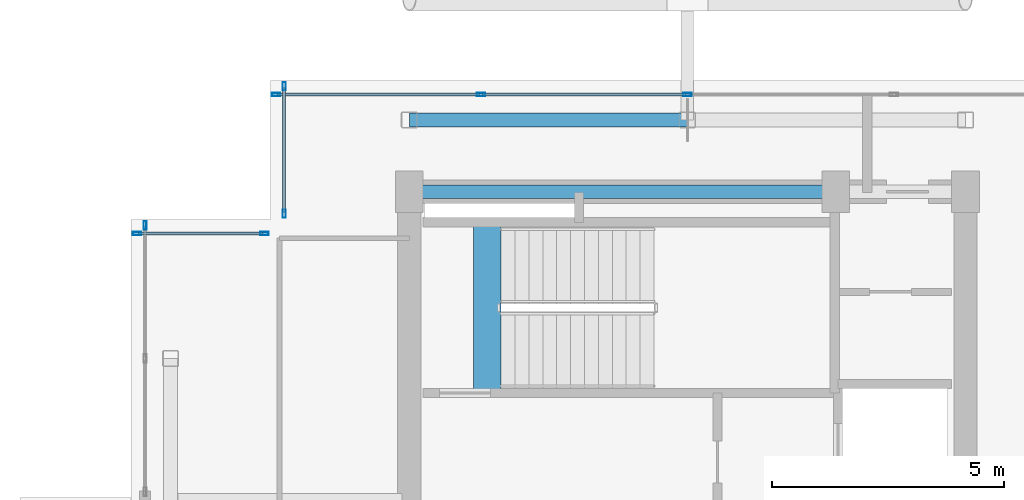
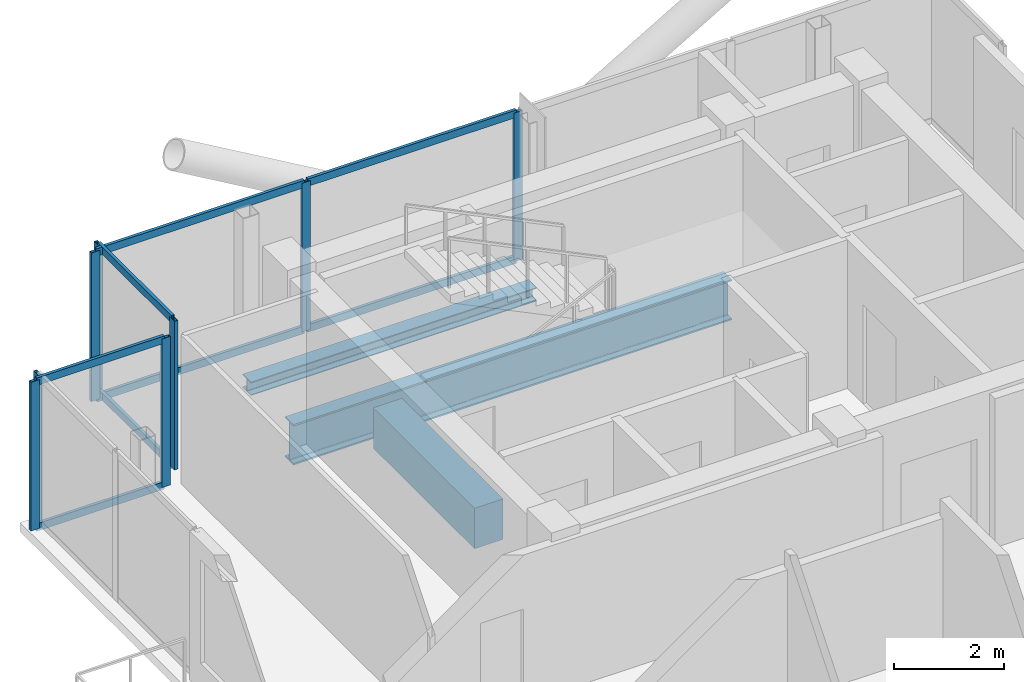
# One storey, part 8 of 18: 16 members, 3 beams, 4 elements without a shape of their own.
"""IFC4 building model written with IfcOpenShell, lengths in metres."""

from ifc_helpers import new_model, si_unit, direction, frame, origin, origin_2d, place, context, subcontext, project, spatial, rectangle, hollow_rectangle, i_section, extrude, material, layer, layer_set, material_profile, profile_set, type_object, element, aggregate, save


model = new_model("IFC4")

# Units and contexts
model_context = context("Model", 3, precision=1e-05, world=origin(), true_north=direction((0.0, 1.0)))
body_context = subcontext(model_context, "Body", "Model", "MODEL_VIEW")
ifc_project = project(units=[si_unit("LENGTHUNIT", "METRE"), si_unit("AREAUNIT", "SQUARE_METRE"), si_unit("VOLUMEUNIT", "CUBIC_METRE"), si_unit("PLANEANGLEUNIT", "RADIAN"), si_unit("MASSUNIT", "GRAM", prefix="KILO"), si_unit("THERMODYNAMICTEMPERATUREUNIT", "KELVIN"), si_unit("POWERUNIT", "WATT")], contexts=[model_context])

# Site, building, storey
site_placement = place(None, origin())
site = spatial("IfcSite", under=ifc_project, at=site_placement, CompositionType="ELEMENT")
building_placement = place(site_placement, origin())
building = spatial("IfcBuilding", under=site, at=building_placement, Name="Svarakhadi Broadcast Tower", CompositionType="ELEMENT")
storey_placement = place(building_placement, frame((0.0, 0.0, 253.699951171875)))
storey = spatial("IfcBuildingStorey", under=building, at=storey_placement, Name="L63", CompositionType="ELEMENT", Elevation=253.699951171875)

# Curtain wall, member
ifc_material_1 = material(Name="Anodised Bronze Aluminium AA 6063-T6", Category="aluminium")
ifc_layer = layer(ifc_material_1, 0.179931640625)
ifc_layer_set = layer_set([ifc_layer], Name="Anodised Bronze Aluminium AA 6063-T6")
curtain_wall_type = type_object("IfcCurtainWallType", Name="CW_Sys_05", PredefinedType="NOTDEFINED", material=ifc_layer_set)
curtain_wall_1_placement = place(storey_placement, origin())
curtain_wall_1 = element("IfcCurtainWall", 1, at=curtain_wall_1_placement, inside=storey, type_object=curtain_wall_type, Name="L63 West Curtain Wall 03", PredefinedType="NOTDEFINED")
ifc_material_profile_1 = material_profile(ifc_material_1, hollow_rectangle(XDim=0.070068359375, YDim=0.179931640625, WallThickness=0.005615234375, at=origin_2d()), Name="ALU MULLION 180x70x6")
ifc_profile_set_1 = profile_set([ifc_material_profile_1], Name="Anodised Bronze Aluminium AA 6063-T6")
member_type_1 = type_object("IfcMemberType", Name="CW_Sys_05_Mul", PredefinedType="MULLION", material=ifc_profile_set_1)
member_1_placement = place(storey_placement, frame((0.300048828125, 26.875, 0.0), z_axis=(0.0, 0.0, 1.0), x_axis=(-1.0, 0.0, 0.0)))
member_1 = element("IfcMember", 2, at=member_1_placement, type_object=member_type_1, Name="CW-05 mullion 3", PredefinedType="MULLION", context=body_context, shape_type="SweptSolid", body=[
    extrude(hollow_rectangle(XDim=0.070068359375, YDim=0.179931640625, WallThickness=0.005615234375, at=origin_2d()), origin(), (0.0, 0.0, 1.0), 3.300048828125),
])
aggregate(curtain_wall_1, [member_1])

# Curtain wall, members
curtain_wall_2_placement = place(storey_placement, origin())
curtain_wall_2 = element("IfcCurtainWall", 3, at=curtain_wall_2_placement, inside=storey, type_object=curtain_wall_type, Name="L63 Unitised Facade Curtain Wall 04", PredefinedType="NOTDEFINED")
member_2_placement = place(storey_placement, frame((0.125, 26.699951171875, 0.0), z_axis=(0.0, 0.0, 1.0), x_axis=(0.0, 1.0, 0.0)))
member_2 = element("IfcMember", 4, at=member_2_placement, type_object=member_type_1, Name="CW-05 mullion 1", PredefinedType="MULLION", context=body_context, shape_type="SweptSolid", body=[
    extrude(hollow_rectangle(XDim=0.070068359375, YDim=0.179931640625, WallThickness=0.005615234375, at=origin_2d()), origin(), (0.0, 0.0, 1.0), 3.300048828125),
])
member_3_placement = place(storey_placement, frame((2.875, 26.699951171875, 0.0), z_axis=(0.0, 0.0, 1.0), x_axis=(0.0, 1.0, 0.0)))
member_3 = element("IfcMember", 5, at=member_3_placement, type_object=member_type_1, Name="CW-05 mullion 2", PredefinedType="MULLION", context=body_context, shape_type="SweptSolid", body=[
    extrude(hollow_rectangle(XDim=0.070068359375, YDim=0.179931640625, WallThickness=0.005615234375, at=origin_2d()), origin(), (0.0, 0.0, 1.0), 3.300048828125),
])

curtain_wall_3_placement = place(storey_placement, origin())
curtain_wall_3 = element("IfcCurtainWall", 6, at=curtain_wall_3_placement, inside=storey, type_object=curtain_wall_type, Name="L63 Unitised Facade Curtain Wall 05", PredefinedType="NOTDEFINED")
member_4_placement = place(storey_placement, frame((3.300048828125, 27.125, 0.0), z_axis=(0.0, 0.0, 1.0), x_axis=(-1.0, 0.0, 0.0)))
member_4 = element("IfcMember", 7, at=member_4_placement, type_object=member_type_1, Name="CW-05 mullion 1", PredefinedType="MULLION", context=body_context, shape_type="SweptSolid", body=[
    extrude(hollow_rectangle(XDim=0.070068359375, YDim=0.179931640625, WallThickness=0.005615234375, at=origin_2d()), origin(), (0.0, 0.0, 1.0), 3.300048828125),
])
member_5_placement = place(storey_placement, frame((3.300048828125, 29.875, 0.0), z_axis=(0.0, 0.0, 1.0), x_axis=(-1.0, 0.0, 0.0)))
member_5 = element("IfcMember", 8, at=member_5_placement, type_object=member_type_1, Name="CW-05 mullion 2", PredefinedType="MULLION", context=body_context, shape_type="SweptSolid", body=[
    extrude(hollow_rectangle(XDim=0.070068359375, YDim=0.179931640625, WallThickness=0.005615234375, at=origin_2d()), origin(), (0.0, 0.0, 1.0), 3.300048828125),
])

curtain_wall_4_placement = place(storey_placement, origin())
curtain_wall_4 = element("IfcCurtainWall", 9, at=curtain_wall_4_placement, inside=storey, type_object=curtain_wall_type, Name="L63 Unitised Facade Curtain Wall 06", PredefinedType="NOTDEFINED")
member_6_placement = place(storey_placement, frame((3.125, 29.699951171875, 0.0), z_axis=(0.0, 0.0, 1.0), x_axis=(0.0, 1.0, 0.0)))
member_6 = element("IfcMember", 10, at=member_6_placement, type_object=member_type_1, Name="CW-05 mullion 1", PredefinedType="MULLION", context=body_context, shape_type="SweptSolid", body=[
    extrude(hollow_rectangle(XDim=0.070068359375, YDim=0.179931640625, WallThickness=0.005615234375, at=origin_2d()), origin(), (0.0, 0.0, 1.0), 3.300048828125),
])
member_7_placement = place(storey_placement, frame((7.544921875, 29.699951171875, 0.0), z_axis=(0.0, 0.0, 1.0), x_axis=(0.0, 1.0, 0.0)))
member_7 = element("IfcMember", 11, at=member_7_placement, type_object=member_type_1, Name="CW-05 mullion 2", PredefinedType="MULLION", context=body_context, shape_type="SweptSolid", body=[
    extrude(hollow_rectangle(XDim=0.070068359375, YDim=0.179931640625, WallThickness=0.005615234375, at=origin_2d()), origin(), (0.0, 0.0, 1.0), 3.300048828125),
])
member_8_placement = place(storey_placement, frame((12.0, 29.699951171875, 0.0), z_axis=(0.0, 0.0, 1.0), x_axis=(0.0, 1.0, 0.0)))
member_8 = element("IfcMember", 12, at=member_8_placement, type_object=member_type_1, Name="CW-05 mullion 3", PredefinedType="MULLION", context=body_context, shape_type="SweptSolid", body=[
    extrude(hollow_rectangle(XDim=0.070068359375, YDim=0.179931640625, WallThickness=0.005615234375, at=origin_2d()), origin(), (0.0, 0.0, 1.0), 3.300048828125),
])

# Member
ifc_material_profile_2 = material_profile(ifc_material_1, hollow_rectangle(XDim=0.06494140625, YDim=0.1650390625, WallThickness=0.0048828125, at=origin_2d()), Name="ALU TRANSOM 165x65x5")
ifc_profile_set_2 = profile_set([ifc_material_profile_2], Name="Anodised Bronze Aluminium AA 6063-T6")
member_type_2 = type_object("IfcMemberType", Name="CW_Sys_05_Trn", PredefinedType="USERDEFINED", material=ifc_profile_set_2)
member_9_placement = place(storey_placement, frame((0.159912109375, 26.699951171875, 0.032470703125), z_axis=(1.0, 0.0, 0.0), x_axis=(0.0, 1.0, 0.0)))
member_9 = element("IfcMember", 13, at=member_9_placement, type_object=member_type_2, Name="CW-05 transom 1.1", ObjectType="TRANSOM", PredefinedType="USERDEFINED", context=body_context, shape_type="SweptSolid", body=[
    extrude(hollow_rectangle(XDim=0.06494140625, YDim=0.1650390625, WallThickness=0.0048828125, at=origin_2d()), origin(), (0.0, 0.0, 1.0), 2.68017578125),
])

member_10_placement = place(storey_placement, frame((0.159912109375, 26.699951171875, 3.267578125), z_axis=(1.0, 0.0, 0.0), x_axis=(0.0, 1.0, 0.0)))
member_10 = element("IfcMember", 14, at=member_10_placement, type_object=member_type_2, Name="CW-05 transom 1.2", ObjectType="TRANSOM", PredefinedType="USERDEFINED", context=body_context, shape_type="SweptSolid", body=[
    extrude(hollow_rectangle(XDim=0.06494140625, YDim=0.1650390625, WallThickness=0.0048828125, at=origin_2d()), origin(), (0.0, 0.0, 1.0), 2.68017578125),
])

aggregate(curtain_wall_2, [member_2, member_3, member_9, member_10])

member_11_placement = place(storey_placement, frame((3.300048828125, 27.159912109375, 0.032470703125), z_axis=(0.0, 1.0, 0.0), x_axis=(-1.0, 0.0, 0.0)))
member_11 = element("IfcMember", 15, at=member_11_placement, type_object=member_type_2, Name="CW-05 transom 1.1", ObjectType="TRANSOM", PredefinedType="USERDEFINED", context=body_context, shape_type="SweptSolid", body=[
    extrude(hollow_rectangle(XDim=0.06494140625, YDim=0.1650390625, WallThickness=0.0048828125, at=origin_2d()), origin(), (0.0, 0.0, 1.0), 2.68017578125),
])

member_12_placement = place(storey_placement, frame((3.300048828125, 27.159912109375, 3.267578125), z_axis=(0.0, 1.0, 0.0), x_axis=(-1.0, 0.0, 0.0)))
member_12 = element("IfcMember", 16, at=member_12_placement, type_object=member_type_2, Name="CW-05 transom 1.2", ObjectType="TRANSOM", PredefinedType="USERDEFINED", context=body_context, shape_type="SweptSolid", body=[
    extrude(hollow_rectangle(XDim=0.06494140625, YDim=0.1650390625, WallThickness=0.0048828125, at=origin_2d()), origin(), (0.0, 0.0, 1.0), 2.68017578125),
])

aggregate(curtain_wall_3, [member_4, member_5, member_11, member_12])

member_13_placement = place(storey_placement, frame((3.159912109375, 29.699951171875, 0.032470703125), z_axis=(1.0, 0.0, 0.0), x_axis=(0.0, 1.0, 0.0)))
member_13 = element("IfcMember", 17, at=member_13_placement, type_object=member_type_2, Name="CW-05 transom 1.1", ObjectType="TRANSOM", PredefinedType="USERDEFINED", context=body_context, shape_type="SweptSolid", body=[
    extrude(hollow_rectangle(XDim=0.06494140625, YDim=0.1650390625, WallThickness=0.0048828125, at=origin_2d()), origin(), (0.0, 0.0, 1.0), 4.35009765625),
])

member_14_placement = place(storey_placement, frame((3.159912109375, 29.699951171875, 3.267578125), z_axis=(1.0, 0.0, 0.0), x_axis=(0.0, 1.0, 0.0)))
member_14 = element("IfcMember", 18, at=member_14_placement, type_object=member_type_2, Name="CW-05 transom 1.2", ObjectType="TRANSOM", PredefinedType="USERDEFINED", context=body_context, shape_type="SweptSolid", body=[
    extrude(hollow_rectangle(XDim=0.06494140625, YDim=0.1650390625, WallThickness=0.0048828125, at=origin_2d()), origin(), (0.0, 0.0, 1.0), 4.35009765625),
])

member_15_placement = place(storey_placement, frame((7.580078125, 29.699951171875, 0.032470703125), z_axis=(1.0, 0.0, 0.0), x_axis=(0.0, 1.0, 0.0)))
member_15 = element("IfcMember", 19, at=member_15_placement, type_object=member_type_2, Name="CW-05 transom 2.1", ObjectType="TRANSOM", PredefinedType="USERDEFINED", context=body_context, shape_type="SweptSolid", body=[
    extrude(hollow_rectangle(XDim=0.06494140625, YDim=0.1650390625, WallThickness=0.0048828125, at=origin_2d()), origin(), (0.0, 0.0, 1.0), 4.385009765625),
])

member_16_placement = place(storey_placement, frame((7.580078125, 29.699951171875, 3.267578125), z_axis=(1.0, 0.0, 0.0), x_axis=(0.0, 1.0, 0.0)))
member_16 = element("IfcMember", 20, at=member_16_placement, type_object=member_type_2, Name="CW-05 transom 2.2", ObjectType="TRANSOM", PredefinedType="USERDEFINED", context=body_context, shape_type="SweptSolid", body=[
    extrude(hollow_rectangle(XDim=0.06494140625, YDim=0.1650390625, WallThickness=0.0048828125, at=origin_2d()), origin(), (0.0, 0.0, 1.0), 4.385009765625),
])

aggregate(curtain_wall_4, [member_6, member_7, member_8, member_13, member_14, member_15, member_16])

# Beams
ifc_material_2 = material(Name="Concrete C50/60 (IS 456 M60)", Category="concrete")
ifc_material_profile_3 = material_profile(ifc_material_2, rectangle(XDim=0.60009765625, YDim=0.89990234375, at=origin_2d()), Name="RC 600x900")
ifc_profile_set_3 = profile_set([ifc_material_profile_3], Name="Concrete C50/60 (IS 456 M60)")
beam_type_1 = type_object("IfcBeamType", Name="Coupling_RC600", PredefinedType="USERDEFINED", material=ifc_profile_set_3)
beam_1_placement = place(storey_placement, frame((7.679931640625, 23.260009765625, -0.449951171875), z_axis=(0.0, 1.0, 0.0), x_axis=(-1.0, 0.0, 0.0)))
element("IfcBeam", 21, at=beam_1_placement, inside=storey, type_object=beam_type_1, Name="L63 Stair ST-01 Landing Throat Trimmer Beam CB-01", ObjectType="GIRDER", PredefinedType="USERDEFINED", context=body_context, shape_type="SweptSolid", body=[
    extrude(rectangle(XDim=0.60009765625, YDim=0.89990234375, at=origin_2d()), origin(), (0.0, 0.0, 1.0), 3.679931640625),
])
ifc_material_3 = material(Name="Steel S355J2 (IS 2062 E350C)", Category="steel")
ifc_material_profile_4 = material_profile(ifc_material_3, i_section(OverallWidth=0.300048828125, OverallDepth=0.300048828125, WebThickness=0.010986328125, FlangeThickness=0.01904296875, FilletRadius=0.027099609375, at=origin_2d()), Name="WPB 300x300x117")
ifc_profile_set_4 = profile_set([ifc_material_profile_4], Name="Steel S355J2 (IS 2062 E350C)")
beam_type_2 = type_object("IfcBeamType", Name="Girder_WPB300", PredefinedType="USERDEFINED", material=ifc_profile_set_4)
beam_2_placement = place(storey_placement, frame((6.0, 29.14990234375, -0.349853515625), z_axis=(1.0, 0.0, 0.0), x_axis=(0.0, 1.0, 0.0)))
element("IfcBeam", 22, at=beam_2_placement, inside=storey, type_object=beam_type_2, Name="L63 Primary E-W Girder G024", ObjectType="GIRDER", PredefinedType="USERDEFINED", context=body_context, shape_type="SweptSolid", body=[
    extrude(i_section(OverallWidth=0.300048828125, OverallDepth=0.300048828125, WebThickness=0.010986328125, FlangeThickness=0.01904296875, FilletRadius=0.027099609375, at=origin_2d()), origin(), (0.0, 0.0, 1.0), 6.0),
])
ifc_material_4 = material(Name="Steel S460ML (IS 2062 E450BR)", Category="steel")
ifc_material_profile_5 = material_profile(ifc_material_4, i_section(OverallWidth=0.300048828125, OverallDepth=0.89990234375, WebThickness=0.0185546875, FlangeThickness=0.034912109375, FilletRadius=0.030029296875, at=origin_2d()), Name="WPB 900x300x291")
ifc_profile_set_5 = profile_set([ifc_material_profile_5], Name="Steel S460ML (IS 2062 E450BR)")
beam_type_3 = type_object("IfcBeamType", Name="Girder_WPB900", PredefinedType="USERDEFINED", material=ifc_profile_set_5)
beam_3_placement = place(storey_placement, frame((6.0, 27.60009765625, -0.64990234375), z_axis=(1.0, 0.0, 0.0), x_axis=(0.0, 1.0, 0.0)))
element("IfcBeam", 23, at=beam_3_placement, inside=storey, type_object=beam_type_3, Name="L63 Primary E-W Girder G022", ObjectType="GIRDER", PredefinedType="USERDEFINED", context=body_context, shape_type="SweptSolid", body=[
    extrude(i_section(OverallWidth=0.300048828125, OverallDepth=0.89990234375, WebThickness=0.0185546875, FlangeThickness=0.034912109375, FilletRadius=0.030029296875, at=origin_2d()), origin(), (0.0, 0.0, 1.0), 9.199951171875),
])

save(model, "model.ifc")
